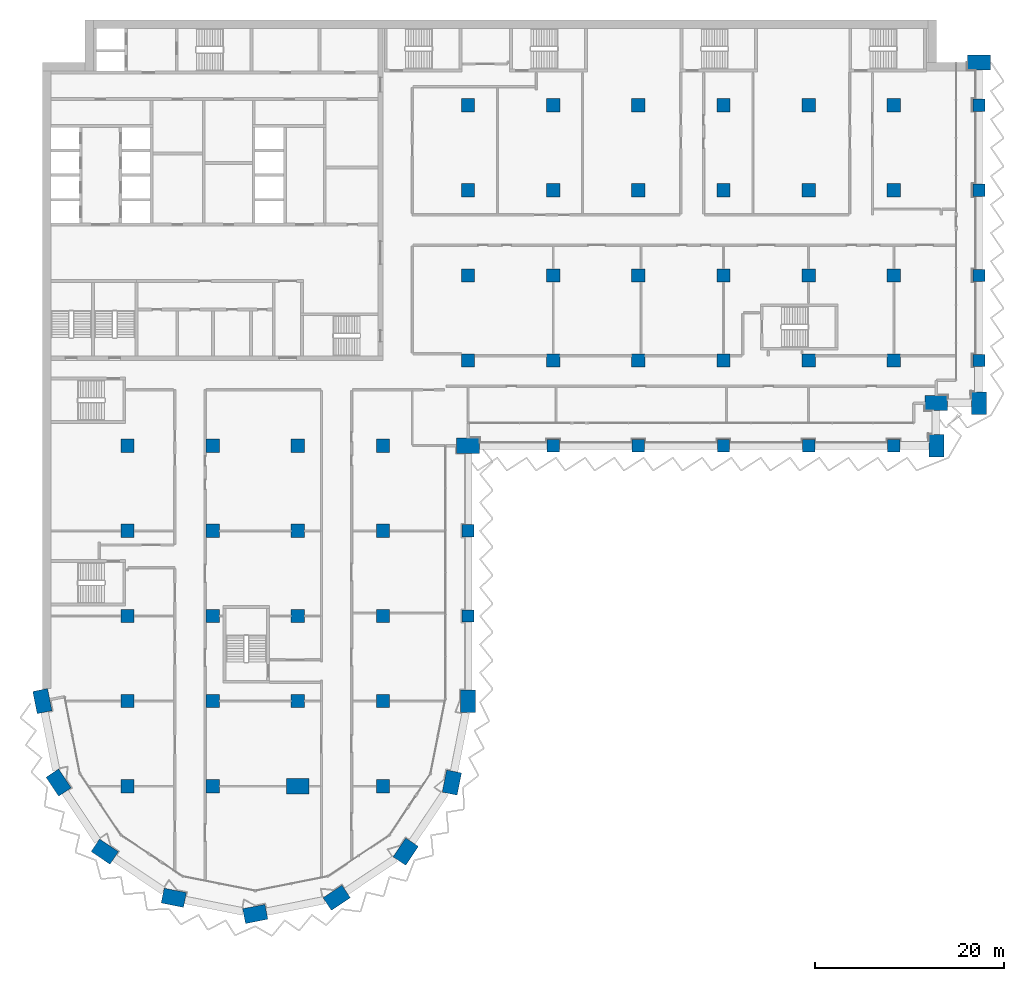
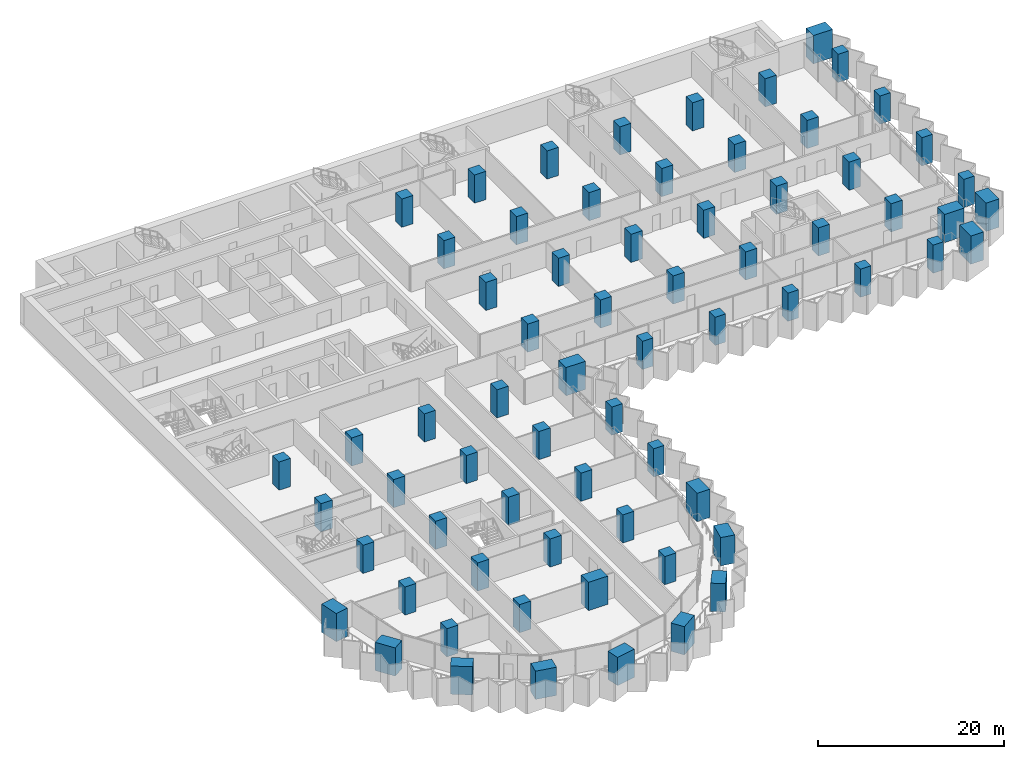
# One storey, part 1 of 29: 69 columns.
"""IFC4 building model written with IfcOpenShell, lengths in metres."""

import ifcopenshell
import ifcopenshell.guid

model = None  # the IFC model being written
_history = None  # IfcOwnerHistory: only IFC2X3 demands one
_inside = {}  # id of a spatial element -> (the spatial element, [elements in it])
_under = {}  # id of a project, library or spatial element -> (it, [spatial elements below it])
_declared = {}  # id of a project -> (the project, [libraries it declares])
_typed = {}  # id of a type object -> (the type object, [elements of that type])
_made_of = {}  # id of a material, layer set ... -> (it, [elements and type objects made of it])


def new_model(schema):
    """Start an empty IFC model of exactly this schema.

    Asked for "IFC4X3", IfcOpenShell would pick the latest addendum, in which some entities
    have other attributes; the version numbers below select the first issue.
    IFC2X3 requires an IfcOwnerHistory on every rooted entity: one is made here for all.
    """
    global model, _history
    if schema == "IFC4X3":
        model = ifcopenshell.file(schema_version=(4, 3, 0, 0))
    else:
        model = ifcopenshell.file(schema=schema)
    _inside.clear()
    _under.clear()
    _declared.clear()
    _typed.clear()
    _made_of.clear()
    _history = None
    if model.schema == "IFC2X3":
        org = make("IfcOrganization", Name="unknown")
        user = make(
            "IfcPersonAndOrganization",
            ThePerson=make("IfcPerson", FamilyName="unknown"),
            TheOrganization=org,
        )
        app = make(
            "IfcApplication",
            ApplicationDeveloper=org,
            Version="unknown",
            ApplicationFullName="unknown",
            ApplicationIdentifier="unknown",
        )
        _history = make(
            "IfcOwnerHistory",
            OwningUser=user,
            OwningApplication=app,
            ChangeAction="ADDED",
            CreationDate=0,
        )
    return model


def make(cls, **values):
    """One entity of the class cls with the attributes given. An attribute that is None is left unset."""
    return model.create_entity(
        cls, **{name: value for name, value in values.items() if value is not None}
    )


def rooted(cls, **values):
    """An entity with a GlobalId (a new one), such as an element, a storey or a relation."""
    return make(cls, GlobalId=ifcopenshell.guid.new(), OwnerHistory=_history, **values)


def si_unit(unit_type, name, prefix=None):
    """IfcSIUnit, for example si_unit("LENGTHUNIT", "METRE", prefix="MILLI")."""
    return make("IfcSIUnit", UnitType=unit_type, Prefix=prefix, Name=name)


def assignment(units):
    """IfcUnitAssignment: the units of a project."""
    return None if units is None else make("IfcUnitAssignment", Units=units)


def point(xyz):
    """IfcCartesianPoint."""
    return None if xyz is None else make("IfcCartesianPoint", Coordinates=xyz)


def direction(xyz):
    """IfcDirection."""
    return None if xyz is None else make("IfcDirection", DirectionRatios=xyz)


def frame(location, z_axis=None, x_axis=None):
    """IfcAxis2Placement3D, a coordinate frame: its origin and axes. An axis left out is left unset."""
    return make(
        "IfcAxis2Placement3D",
        Location=point(location),
        Axis=direction(z_axis),
        RefDirection=direction(x_axis),
    )


def frame_2d(location, x_axis=None):
    """IfcAxis2Placement2D, a coordinate frame in the plane: its origin and x axis."""
    return make(
        "IfcAxis2Placement2D", Location=point(location), RefDirection=direction(x_axis)
    )


def origin():
    """The frame at (0, 0, 0) with its axes left unset."""
    return frame((0.0, 0.0, 0.0))


def origin_2d():
    """The frame at (0, 0) in the plane with its x axis left unset."""
    return frame_2d((0.0, 0.0))


def place(relative_to, where):
    """IfcLocalPlacement: puts the frame where relative to a parent placement (None: the world)."""
    return make(
        "IfcLocalPlacement", PlacementRelTo=relative_to, RelativePlacement=where
    )


def context(
    kind, dimensions, precision=None, world=None, true_north=None, identifier=None
):
    """IfcGeometricRepresentationContext, for example the 3D "Model" context."""
    return make(
        "IfcGeometricRepresentationContext",
        ContextIdentifier=identifier,
        ContextType=kind,
        CoordinateSpaceDimension=dimensions,
        Precision=precision,
        WorldCoordinateSystem=world,
        TrueNorth=true_north,
    )


def subcontext(parent, identifier, kind, view, scale=None):
    """IfcGeometricRepresentationSubContext, for example "Body" below "Model"."""
    return make(
        "IfcGeometricRepresentationSubContext",
        ContextIdentifier=identifier,
        ContextType=kind,
        ParentContext=parent,
        TargetScale=scale,
        TargetView=view,
    )


def project(units=None, contexts=None):
    """IfcProject with its units and contexts."""
    return rooted(
        "IfcProject",
        Name="project",
        RepresentationContexts=contexts,
        UnitsInContext=assignment(units),
    )


def spatial(cls, under=None, at=None, **own):
    """A site, building, storey or space (cls), placed at a placement, below another one or the project."""
    s = rooted(cls, ObjectPlacement=at, **own)
    if under is not None:
        _under.setdefault(under.id(), (under, []))[1].append(s)
    return s


def profile(cls, at=None, kind="AREA", **sizes):
    """A parametric profile (cls). Its sizes go by their IFC names, for example OverallWidth=200.0."""
    return make(cls, ProfileType=kind, Position=at, **sizes)


def rectangle(**sizes):
    """IfcRectangleProfileDef."""
    return profile("IfcRectangleProfileDef", **sizes)


def extrude(swept, where, along, depth):
    """IfcExtrudedAreaSolid: the profile swept, set in the frame where, extruded along a direction by depth."""
    return make(
        "IfcExtrudedAreaSolid",
        SweptArea=swept,
        Position=where,
        ExtrudedDirection=direction(along),
        Depth=depth,
    )


def shape(context_of_items, identifier, shape_type, items):
    """IfcShapeRepresentation: the items that make up one representation, for example the "Body"."""
    return make(
        "IfcShapeRepresentation",
        ContextOfItems=context_of_items,
        RepresentationIdentifier=identifier,
        RepresentationType=shape_type,
        Items=items,
    )


def material(Name=None, Category=None):
    """IfcMaterial."""
    return make("IfcMaterial", Name=Name, Category=Category)


def material_profile(
    of_material, cross_section, Name=None, Category=None, Priority=None
):
    """IfcMaterialProfile: a cross section and its material."""
    return make(
        "IfcMaterialProfile",
        Name=Name,
        Material=of_material,
        Profile=cross_section,
        Priority=Priority,
        Category=Category,
    )


def profile_set(profiles, Name=None, composite=None):
    """IfcMaterialProfileSet."""
    return make(
        "IfcMaterialProfileSet",
        Name=Name,
        MaterialProfiles=profiles,
        CompositeProfile=composite,
    )


def made_of(thing, what):
    """Note that an element or type object is made of a material, layer set ...; save() writes the relation."""
    if what is not None:
        _made_of.setdefault(what.id(), (what, []))[1].append(thing)
    return thing


def type_object(cls, material=None, **own):
    """A type object (cls), such as IfcWallType, which elements share."""
    return made_of(rooted(cls, **own), material)


def element(
    cls,
    number,
    at=None,
    inside=None,
    cuts=None,
    type_object=None,
    material=None,
    context=None,
    identifier="Body",
    shape_type=None,
    held_by="IfcProductDefinitionShape",
    body=None,
    shapes=None,
    **own,
):
    """One element of the class cls, such as IfcWall. Its Tag is "e" and its number.

    at: its placement. inside: the storey or other place that contains it. cuts: it is an
    opening in that element (IfcRelVoidsElement). A single representation is given by context,
    identifier, shape_type and body (its items); several are given by shapes. held_by: the class
    of the entity that holds the representations. save() writes the other relations.
    """
    e = rooted(cls, Tag="e%d" % number, ObjectPlacement=at, **own)
    if body is not None:
        shapes = [shape(context, identifier, shape_type, body)]
    if shapes is not None:
        e.Representation = make(held_by, Representations=shapes)
    if inside is not None:
        _inside.setdefault(inside.id(), (inside, []))[1].append(e)
    if cuts is not None:
        rooted(
            "IfcRelVoidsElement", RelatingBuildingElement=cuts, RelatedOpeningElement=e
        )
    if type_object is not None:
        _typed.setdefault(type_object.id(), (type_object, []))[1].append(e)
    return made_of(e, material)


def aggregate(whole, parts):
    """IfcRelAggregates: a whole, such as a stair, and the parts it consists of."""
    return rooted("IfcRelAggregates", RelatingObject=whole, RelatedObjects=parts)


def save(model, path):
    """Write the relations noted so far, then the file.

    IfcRelAggregates (storeys below a building ...), IfcRelContainedInSpatialStructure (elements
    in a storey), IfcRelDefinesByType, IfcRelAssociatesMaterial and IfcRelDeclares: one each for
    every whole, place, type object, material and project.
    """
    for whole, parts in _under.values():
        aggregate(whole, parts)
    for where, things in _inside.values():
        rooted(
            "IfcRelContainedInSpatialStructure",
            RelatedElements=things,
            RelatingStructure=where,
        )
    for kind, things in _typed.values():
        rooted("IfcRelDefinesByType", RelatedObjects=things, RelatingType=kind)
    for what, things in _made_of.values():
        rooted("IfcRelAssociatesMaterial", RelatedObjects=things, RelatingMaterial=what)
    for by, libraries in _declared.values():
        rooted("IfcRelDeclares", RelatingContext=by, RelatedDefinitions=libraries)
    model.write(path)


model = new_model("IFC4")

# Units and contexts
model_context = context("Model", 3, precision=1e-05, world=origin(), true_north=direction((0.0, 1.0)))
body_context = subcontext(model_context, "Body", "Model", "MODEL_VIEW")
ifc_project = project(units=[si_unit("LENGTHUNIT", "METRE"), si_unit("AREAUNIT", "SQUARE_METRE"), si_unit("VOLUMEUNIT", "CUBIC_METRE"), si_unit("PLANEANGLEUNIT", "RADIAN"), si_unit("MASSUNIT", "GRAM", prefix="KILO")], contexts=[model_context])

# Site, building, storey
site_placement = place(None, origin())
site = spatial("IfcSite", under=ifc_project, at=site_placement, CompositionType="ELEMENT")
building_placement = place(site_placement, origin())
building = spatial("IfcBuilding", under=site, at=building_placement, Name="Hunhe Ridgeline Campus", CompositionType="ELEMENT")
storey_placement = place(building_placement, frame((0.0, 0.0, 69.10009765625)))
storey = spatial("IfcBuildingStorey", under=building, at=storey_placement, Name="L16", CompositionType="ELEMENT", Elevation=69.10009765625)

# Columns
ifc_material = material(Name="Concrete C80", Category="concrete")
ifc_material_profile_1 = material_profile(ifc_material, rectangle(XDim=2.39990234375, YDim=1.60009765625, at=origin_2d()))
ifc_profile_set_1 = profile_set([ifc_material_profile_1], Name="Concrete C80")
column_type_1 = type_object("IfcColumnType", Name="Megacolumn 2400x1600 Concrete C80", PredefinedType="COLUMN", material=ifc_profile_set_1)
for number, where, z_axis, x_axis, name in (
    (1, (22.5, 4.5, 0.0), (0.0, 0.0, 1.0), (0.980785280403, 0.195090322016, 0.0), "Column C3 R1 L16"),
    (2, (13.8896484375, 6.212646484375, 0.0), (0.0, 0.0, 1.0), (-0.980785280403, 0.195090322016, 0.0), "Column C3 R2 L16"),
    (3, (31.1103515625, 6.212646484375, 0.0), (0.0, 0.0, 1.0), (0.831469612303, 0.55557023302, 0.0), "Column C3 R3 L16"),
    (4, (6.590087890625, 11.090087890625, 0.0), (0.0, 0.0, 1.0), (-0.831469612303, 0.55557023302, 0.0), "Column C3 R4 L16"),
    (5, (38.409912109375, 11.090087890625, 0.0), (0.0, 0.0, 1.0), (0.55557023302, 0.831469612303, 0.0), "Column C3 R5 L16"),
    (6, (1.712646484375, 18.3896484375, 0.0), (0.0, 0.0, 1.0), (-0.55557023302, 0.831469612303, 0.0), "Column C3 R9 L16"),
    (7, (43.287353515625, 18.3896484375, 0.0), (0.0, 0.0, 1.0), (0.195090322016, 0.980785280403, 0.0), "Column C3 R10 L16"),
    (8, (0.0, 27.0, 0.0), (0.0, 0.0, 1.0), (-0.195090322016, 0.980785280403, 0.0), "Column C3 D1 L16"),
    (9, (45.0, 27.0, 0.0), (0.0, 0.0, 1.0), (0.0, 1.0, 0.0), "Column C3 D6 L16"),
    (10, (45.0, 54.0, 0.0), (0.0, 0.0, 1.0), (1.0, 0.0, 0.0), "Column C3 G6 L16"),
    (11, (94.5, 54.0, 0.0), (0.0, 0.0, 1.0), (0.0, 1.0, 0.0), "Column C3 R32 L16"),
    (12, (94.5, 58.5, 0.0), (0.0, 0.0, 1.0), (1.0, 0.0, 0.0), "Column C3 R39 L16"),
    (13, (99.0, 58.5, 0.0), (0.0, 0.0, 1.0), (0.0, 1.0, 0.0), "Column C3 R40 L16"),
    (14, (99.0, 94.5, 0.0), (0.0, 0.0, 1.0), (1.0, 0.0, 0.0), "Column C3 R44 L16"),
    (15, (27.0, 18.0, 0.0), (0.0, 0.0, 1.0), (1.0, 0.0, 0.0), "Column C3 C4 L16"),
):
    element("IfcColumn", number, at=place(storey_placement, frame(where, z_axis=z_axis, x_axis=x_axis)), inside=storey, type_object=column_type_1, Name=name, PredefinedType="COLUMN", context=body_context, shape_type="SweptSolid", body=[
        extrude(rectangle(XDim=2.39990234375, YDim=1.60009765625, at=origin_2d()), origin(), (0.0, 0.0, 1.0), 3.699951171875),
    ])
ifc_material_profile_2 = material_profile(ifc_material, rectangle(XDim=1.300048828125, YDim=1.300048828125, at=origin_2d()))
ifc_profile_set_2 = profile_set([ifc_material_profile_2], Name="Concrete C80")
column_type_2 = type_object("IfcColumnType", Name="RC column 1300x1300 Concrete C80", PredefinedType="COLUMN", material=ifc_profile_set_2)
for number, where, z_axis, x_axis, name in (
    (16, (45.0, 36.0, 0.0), (0.0, 0.0, 1.0), (1.0, 0.0, 0.0), "Column C4 E6 L16"),
    (17, (45.0, 45.0, 0.0), (0.0, 0.0, 1.0), (1.0, 0.0, 0.0), "Column C4 F6 L16"),
    (18, (54.0, 54.0, 0.0), (0.0, 0.0, 1.0), (1.0, 0.0, 0.0), "Column C4 G7 L16"),
    (19, (63.0, 54.0, 0.0), (0.0, 0.0, 1.0), (1.0, 0.0, 0.0), "Column C4 G8 L16"),
    (20, (72.0, 54.0, 0.0), (0.0, 0.0, 1.0), (1.0, 0.0, 0.0), "Column C4 G9 L16"),
    (21, (81.0, 54.0, 0.0), (0.0, 0.0, 1.0), (1.0, 0.0, 0.0), "Column C4 G10 L16"),
    (22, (90.0, 54.0, 0.0), (0.0, 0.0, 1.0), (1.0, 0.0, 0.0), "Column C4 G11 L16"),
    (23, (99.0, 63.0, 0.0), (0.0, 0.0, 1.0), (1.0, 0.0, 0.0), "Column C4 H12 L16"),
    (24, (99.0, 72.0, 0.0), (0.0, 0.0, 1.0), (1.0, 0.0, 0.0), "Column C4 I12 L16"),
    (25, (99.0, 81.0, 0.0), (0.0, 0.0, 1.0), (1.0, 0.0, 0.0), "Column C4 J12 L16"),
    (26, (99.0, 90.0, 0.0), (0.0, 0.0, 1.0), (1.0, 0.0, 0.0), "Column C4 K12 L16"),
):
    element("IfcColumn", number, at=place(storey_placement, frame(where, z_axis=z_axis, x_axis=x_axis)), inside=storey, type_object=column_type_2, Name=name, PredefinedType="COLUMN", context=body_context, shape_type="SweptSolid", body=[
        extrude(rectangle(XDim=1.300048828125, YDim=1.300048828125, at=origin_2d()), origin(), (0.0, 0.0, 1.0), 3.699951171875),
    ])
ifc_material_profile_3 = material_profile(ifc_material, rectangle(XDim=1.39990234375, YDim=1.39990234375, at=origin_2d()))
ifc_profile_set_3 = profile_set([ifc_material_profile_3], Name="Concrete C80")
column_type_3 = type_object("IfcColumnType", Name="RC column 1400x1400 Concrete C80", PredefinedType="COLUMN", material=ifc_profile_set_3)
for number, where, z_axis, x_axis, name in (
    (27, (9.0, 18.0, 0.0), (0.0, 0.0, 1.0), (1.0, 0.0, 0.0), "Column C5 C2 L16"),
    (28, (9.0, 27.0, 0.0), (0.0, 0.0, 1.0), (1.0, 0.0, 0.0), "Column C5 D2 L16"),
    (29, (9.0, 36.0, 0.0), (0.0, 0.0, 1.0), (1.0, 0.0, 0.0), "Column C5 E2 L16"),
    (30, (9.0, 45.0, 0.0), (0.0, 0.0, 1.0), (1.0, 0.0, 0.0), "Column C5 F2 L16"),
    (31, (9.0, 54.0, 0.0), (0.0, 0.0, 1.0), (1.0, 0.0, 0.0), "Column C5 G2 L16"),
    (32, (18.0, 18.0, 0.0), (0.0, 0.0, 1.0), (1.0, 0.0, 0.0), "Column C5 C3 L16"),
    (33, (18.0, 27.0, 0.0), (0.0, 0.0, 1.0), (1.0, 0.0, 0.0), "Column C5 D3 L16"),
    (34, (18.0, 36.0, 0.0), (0.0, 0.0, 1.0), (1.0, 0.0, 0.0), "Column C5 E3 L16"),
    (35, (18.0, 45.0, 0.0), (0.0, 0.0, 1.0), (1.0, 0.0, 0.0), "Column C5 F3 L16"),
    (36, (18.0, 54.0, 0.0), (0.0, 0.0, 1.0), (1.0, 0.0, 0.0), "Column C5 G3 L16"),
    (37, (27.0, 27.0, 0.0), (0.0, 0.0, 1.0), (1.0, 0.0, 0.0), "Column C5 D4 L16"),
    (38, (27.0, 36.0, 0.0), (0.0, 0.0, 1.0), (1.0, 0.0, 0.0), "Column C5 E4 L16"),
    (39, (27.0, 45.0, 0.0), (0.0, 0.0, 1.0), (1.0, 0.0, 0.0), "Column C5 F4 L16"),
    (40, (27.0, 54.0, 0.0), (0.0, 0.0, 1.0), (1.0, 0.0, 0.0), "Column C5 G4 L16"),
    (41, (36.0, 18.0, 0.0), (0.0, 0.0, 1.0), (1.0, 0.0, 0.0), "Column C5 C5 L16"),
    (42, (36.0, 27.0, 0.0), (0.0, 0.0, 1.0), (1.0, 0.0, 0.0), "Column C5 D5 L16"),
    (43, (36.0, 36.0, 0.0), (0.0, 0.0, 1.0), (1.0, 0.0, 0.0), "Column C5 E5 L16"),
    (44, (36.0, 45.0, 0.0), (0.0, 0.0, 1.0), (1.0, 0.0, 0.0), "Column C5 F5 L16"),
    (45, (36.0, 54.0, 0.0), (0.0, 0.0, 1.0), (1.0, 0.0, 0.0), "Column C5 G5 L16"),
    (46, (45.0, 63.0, 0.0), (0.0, 0.0, 1.0), (1.0, 0.0, 0.0), "Column C5 H6 L16"),
    (47, (45.0, 72.0, 0.0), (0.0, 0.0, 1.0), (1.0, 0.0, 0.0), "Column C5 I6 L16"),
    (48, (45.0, 81.0, 0.0), (0.0, 0.0, 1.0), (1.0, 0.0, 0.0), "Column C5 J6 L16"),
    (49, (45.0, 90.0, 0.0), (0.0, 0.0, 1.0), (1.0, 0.0, 0.0), "Column C5 K6 L16"),
    (50, (54.0, 63.0, 0.0), (0.0, 0.0, 1.0), (1.0, 0.0, 0.0), "Column C5 H7 L16"),
    (51, (54.0, 72.0, 0.0), (0.0, 0.0, 1.0), (1.0, 0.0, 0.0), "Column C5 I7 L16"),
    (52, (54.0, 81.0, 0.0), (0.0, 0.0, 1.0), (1.0, 0.0, 0.0), "Column C5 J7 L16"),
    (53, (54.0, 90.0, 0.0), (0.0, 0.0, 1.0), (1.0, 0.0, 0.0), "Column C5 K7 L16"),
    (54, (63.0, 63.0, 0.0), (0.0, 0.0, 1.0), (1.0, 0.0, 0.0), "Column C5 H8 L16"),
    (55, (63.0, 72.0, 0.0), (0.0, 0.0, 1.0), (1.0, 0.0, 0.0), "Column C5 I8 L16"),
    (56, (63.0, 81.0, 0.0), (0.0, 0.0, 1.0), (1.0, 0.0, 0.0), "Column C5 J8 L16"),
    (57, (63.0, 90.0, 0.0), (0.0, 0.0, 1.0), (1.0, 0.0, 0.0), "Column C5 K8 L16"),
    (58, (72.0, 63.0, 0.0), (0.0, 0.0, 1.0), (1.0, 0.0, 0.0), "Column C5 H9 L16"),
    (59, (72.0, 72.0, 0.0), (0.0, 0.0, 1.0), (1.0, 0.0, 0.0), "Column C5 I9 L16"),
    (60, (72.0, 81.0, 0.0), (0.0, 0.0, 1.0), (1.0, 0.0, 0.0), "Column C5 J9 L16"),
    (61, (72.0, 90.0, 0.0), (0.0, 0.0, 1.0), (1.0, 0.0, 0.0), "Column C5 K9 L16"),
    (62, (81.0, 63.0, 0.0), (0.0, 0.0, 1.0), (1.0, 0.0, 0.0), "Column C5 H10 L16"),
    (63, (81.0, 72.0, 0.0), (0.0, 0.0, 1.0), (1.0, 0.0, 0.0), "Column C5 I10 L16"),
    (64, (81.0, 81.0, 0.0), (0.0, 0.0, 1.0), (1.0, 0.0, 0.0), "Column C5 J10 L16"),
    (65, (81.0, 90.0, 0.0), (0.0, 0.0, 1.0), (1.0, 0.0, 0.0), "Column C5 K10 L16"),
    (66, (90.0, 63.0, 0.0), (0.0, 0.0, 1.0), (1.0, 0.0, 0.0), "Column C5 H11 L16"),
    (67, (90.0, 72.0, 0.0), (0.0, 0.0, 1.0), (1.0, 0.0, 0.0), "Column C5 I11 L16"),
    (68, (90.0, 81.0, 0.0), (0.0, 0.0, 1.0), (1.0, 0.0, 0.0), "Column C5 J11 L16"),
    (69, (90.0, 90.0, 0.0), (0.0, 0.0, 1.0), (1.0, 0.0, 0.0), "Column C5 K11 L16"),
):
    element("IfcColumn", number, at=place(storey_placement, frame(where, z_axis=z_axis, x_axis=x_axis)), inside=storey, type_object=column_type_3, Name=name, PredefinedType="COLUMN", context=body_context, shape_type="SweptSolid", body=[
        extrude(rectangle(XDim=1.39990234375, YDim=1.39990234375, at=origin_2d()), origin(), (0.0, 0.0, 1.0), 3.699951171875),
    ])

save(model, "model.ifc")
